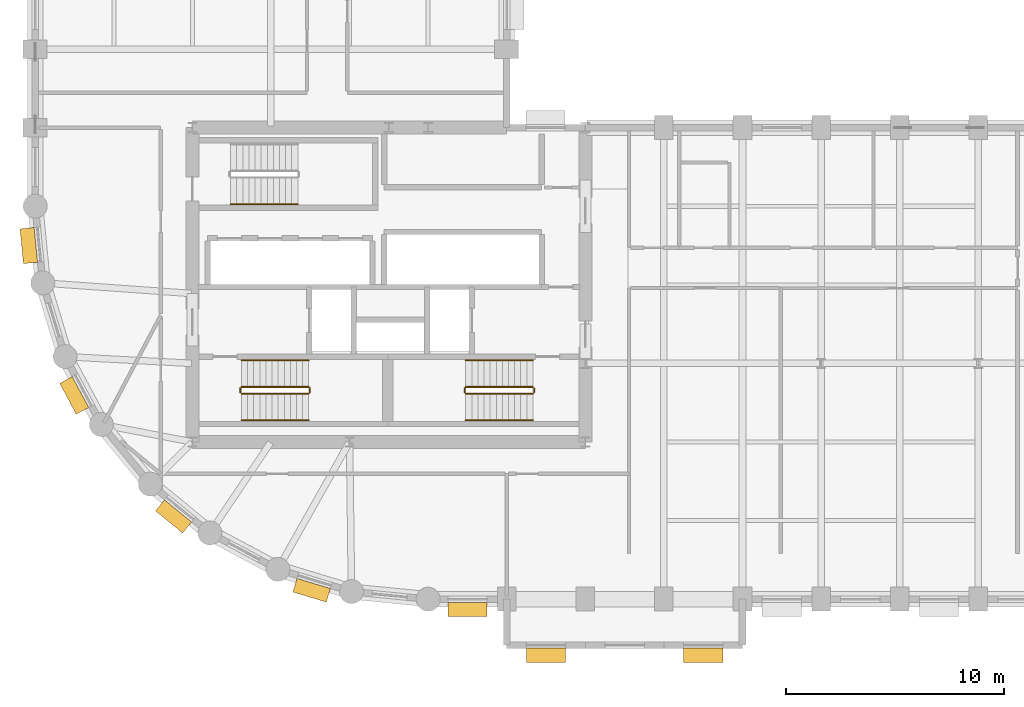
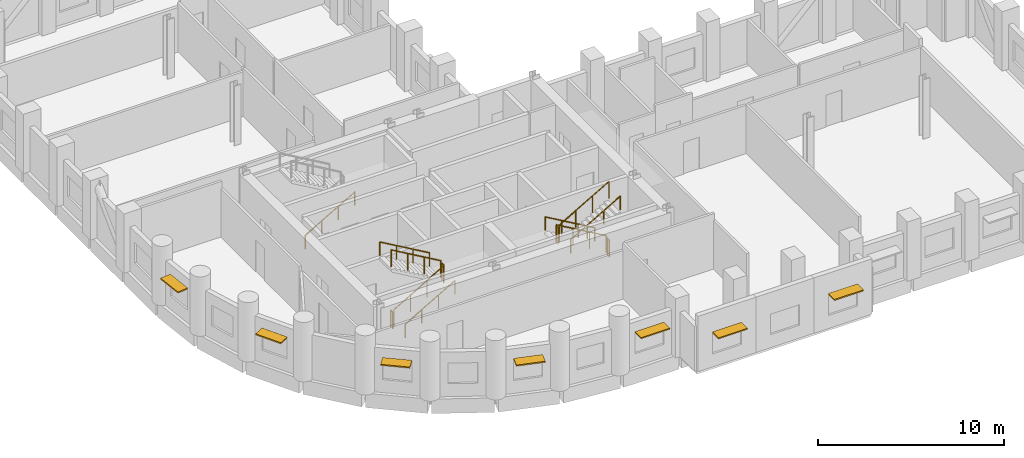
# One storey, part 8 of 10: 13 railings, 7 shading devices.
"""IFC4 building model written with IfcOpenShell, lengths in metres."""

import ifcopenshell
import ifcopenshell.guid

model = None  # the IFC model being written
_history = None  # IfcOwnerHistory: only IFC2X3 demands one
_inside = {}  # id of a spatial element -> (the spatial element, [elements in it])
_under = {}  # id of a project, library or spatial element -> (it, [spatial elements below it])
_declared = {}  # id of a project -> (the project, [libraries it declares])
_typed = {}  # id of a type object -> (the type object, [elements of that type])
_made_of = {}  # id of a material, layer set ... -> (it, [elements and type objects made of it])


def new_model(schema):
    """Start an empty IFC model of exactly this schema.

    Asked for "IFC4X3", IfcOpenShell would pick the latest addendum, in which some entities
    have other attributes; the version numbers below select the first issue.
    IFC2X3 requires an IfcOwnerHistory on every rooted entity: one is made here for all.
    """
    global model, _history
    if schema == "IFC4X3":
        model = ifcopenshell.file(schema_version=(4, 3, 0, 0))
    else:
        model = ifcopenshell.file(schema=schema)
    _inside.clear()
    _under.clear()
    _declared.clear()
    _typed.clear()
    _made_of.clear()
    _history = None
    if model.schema == "IFC2X3":
        org = make("IfcOrganization", Name="unknown")
        user = make(
            "IfcPersonAndOrganization",
            ThePerson=make("IfcPerson", FamilyName="unknown"),
            TheOrganization=org,
        )
        app = make(
            "IfcApplication",
            ApplicationDeveloper=org,
            Version="unknown",
            ApplicationFullName="unknown",
            ApplicationIdentifier="unknown",
        )
        _history = make(
            "IfcOwnerHistory",
            OwningUser=user,
            OwningApplication=app,
            ChangeAction="ADDED",
            CreationDate=0,
        )
    return model


def make(cls, **values):
    """One entity of the class cls with the attributes given. An attribute that is None is left unset."""
    return model.create_entity(
        cls, **{name: value for name, value in values.items() if value is not None}
    )


def rooted(cls, **values):
    """An entity with a GlobalId (a new one), such as an element, a storey or a relation."""
    return make(cls, GlobalId=ifcopenshell.guid.new(), OwnerHistory=_history, **values)


def si_unit(unit_type, name, prefix=None):
    """IfcSIUnit, for example si_unit("LENGTHUNIT", "METRE", prefix="MILLI")."""
    return make("IfcSIUnit", UnitType=unit_type, Prefix=prefix, Name=name)


def assignment(units):
    """IfcUnitAssignment: the units of a project."""
    return None if units is None else make("IfcUnitAssignment", Units=units)


def point(xyz):
    """IfcCartesianPoint."""
    return None if xyz is None else make("IfcCartesianPoint", Coordinates=xyz)


def direction(xyz):
    """IfcDirection."""
    return None if xyz is None else make("IfcDirection", DirectionRatios=xyz)


def frame(location, z_axis=None, x_axis=None):
    """IfcAxis2Placement3D, a coordinate frame: its origin and axes. An axis left out is left unset."""
    return make(
        "IfcAxis2Placement3D",
        Location=point(location),
        Axis=direction(z_axis),
        RefDirection=direction(x_axis),
    )


def frame_2d(location, x_axis=None):
    """IfcAxis2Placement2D, a coordinate frame in the plane: its origin and x axis."""
    return make(
        "IfcAxis2Placement2D", Location=point(location), RefDirection=direction(x_axis)
    )


def origin():
    """The frame at (0, 0, 0) with its axes left unset."""
    return frame((0.0, 0.0, 0.0))


def origin_2d():
    """The frame at (0, 0) in the plane with its x axis left unset."""
    return frame_2d((0.0, 0.0))


def place(relative_to, where):
    """IfcLocalPlacement: puts the frame where relative to a parent placement (None: the world)."""
    return make(
        "IfcLocalPlacement", PlacementRelTo=relative_to, RelativePlacement=where
    )


def context(
    kind, dimensions, precision=None, world=None, true_north=None, identifier=None
):
    """IfcGeometricRepresentationContext, for example the 3D "Model" context."""
    return make(
        "IfcGeometricRepresentationContext",
        ContextIdentifier=identifier,
        ContextType=kind,
        CoordinateSpaceDimension=dimensions,
        Precision=precision,
        WorldCoordinateSystem=world,
        TrueNorth=true_north,
    )


def subcontext(parent, identifier, kind, view, scale=None):
    """IfcGeometricRepresentationSubContext, for example "Body" below "Model"."""
    return make(
        "IfcGeometricRepresentationSubContext",
        ContextIdentifier=identifier,
        ContextType=kind,
        ParentContext=parent,
        TargetScale=scale,
        TargetView=view,
    )


def project(units=None, contexts=None):
    """IfcProject with its units and contexts."""
    return rooted(
        "IfcProject",
        Name="project",
        RepresentationContexts=contexts,
        UnitsInContext=assignment(units),
    )


def spatial(cls, under=None, at=None, **own):
    """A site, building, storey or space (cls), placed at a placement, below another one or the project."""
    s = rooted(cls, ObjectPlacement=at, **own)
    if under is not None:
        _under.setdefault(under.id(), (under, []))[1].append(s)
    return s


def profile(cls, at=None, kind="AREA", **sizes):
    """A parametric profile (cls). Its sizes go by their IFC names, for example OverallWidth=200.0."""
    return make(cls, ProfileType=kind, Position=at, **sizes)


def rectangle(**sizes):
    """IfcRectangleProfileDef."""
    return profile("IfcRectangleProfileDef", **sizes)


def circle(**sizes):
    """IfcCircleProfileDef."""
    return profile("IfcCircleProfileDef", **sizes)


def extrude(swept, where, along, depth):
    """IfcExtrudedAreaSolid: the profile swept, set in the frame where, extruded along a direction by depth."""
    return make(
        "IfcExtrudedAreaSolid",
        SweptArea=swept,
        Position=where,
        ExtrudedDirection=direction(along),
        Depth=depth,
    )


def shape(context_of_items, identifier, shape_type, items):
    """IfcShapeRepresentation: the items that make up one representation, for example the "Body"."""
    return make(
        "IfcShapeRepresentation",
        ContextOfItems=context_of_items,
        RepresentationIdentifier=identifier,
        RepresentationType=shape_type,
        Items=items,
    )


def material(Name=None, Category=None):
    """IfcMaterial."""
    return make("IfcMaterial", Name=Name, Category=Category)


def layer(
    of_material, thickness, ventilated=None, Name=None, Category=None, Priority=None
):
    """IfcMaterialLayer: one layer of a wall or slab, of a material (None: an air gap)."""
    return make(
        "IfcMaterialLayer",
        Material=of_material,
        LayerThickness=thickness,
        IsVentilated=ventilated,
        Name=Name,
        Category=Category,
        Priority=Priority,
    )


def layer_set(layers, Name=None):
    """IfcMaterialLayerSet."""
    return make("IfcMaterialLayerSet", MaterialLayers=layers, LayerSetName=Name)


def made_of(thing, what):
    """Note that an element or type object is made of a material, layer set ...; save() writes the relation."""
    if what is not None:
        _made_of.setdefault(what.id(), (what, []))[1].append(thing)
    return thing


def type_object(cls, material=None, **own):
    """A type object (cls), such as IfcWallType, which elements share."""
    return made_of(rooted(cls, **own), material)


def element(
    cls,
    number,
    at=None,
    inside=None,
    cuts=None,
    type_object=None,
    material=None,
    context=None,
    identifier="Body",
    shape_type=None,
    held_by="IfcProductDefinitionShape",
    body=None,
    shapes=None,
    **own,
):
    """One element of the class cls, such as IfcWall. Its Tag is "e" and its number.

    at: its placement. inside: the storey or other place that contains it. cuts: it is an
    opening in that element (IfcRelVoidsElement). A single representation is given by context,
    identifier, shape_type and body (its items); several are given by shapes. held_by: the class
    of the entity that holds the representations. save() writes the other relations.
    """
    e = rooted(cls, Tag="e%d" % number, ObjectPlacement=at, **own)
    if body is not None:
        shapes = [shape(context, identifier, shape_type, body)]
    if shapes is not None:
        e.Representation = make(held_by, Representations=shapes)
    if inside is not None:
        _inside.setdefault(inside.id(), (inside, []))[1].append(e)
    if cuts is not None:
        rooted(
            "IfcRelVoidsElement", RelatingBuildingElement=cuts, RelatedOpeningElement=e
        )
    if type_object is not None:
        _typed.setdefault(type_object.id(), (type_object, []))[1].append(e)
    return made_of(e, material)


def aggregate(whole, parts):
    """IfcRelAggregates: a whole, such as a stair, and the parts it consists of."""
    return rooted("IfcRelAggregates", RelatingObject=whole, RelatedObjects=parts)


def save(model, path):
    """Write the relations noted so far, then the file.

    IfcRelAggregates (storeys below a building ...), IfcRelContainedInSpatialStructure (elements
    in a storey), IfcRelDefinesByType, IfcRelAssociatesMaterial and IfcRelDeclares: one each for
    every whole, place, type object, material and project.
    """
    for whole, parts in _under.values():
        aggregate(whole, parts)
    for where, things in _inside.values():
        rooted(
            "IfcRelContainedInSpatialStructure",
            RelatedElements=things,
            RelatingStructure=where,
        )
    for kind, things in _typed.values():
        rooted("IfcRelDefinesByType", RelatedObjects=things, RelatingType=kind)
    for what, things in _made_of.values():
        rooted("IfcRelAssociatesMaterial", RelatedObjects=things, RelatingMaterial=what)
    for by, libraries in _declared.values():
        rooted("IfcRelDeclares", RelatingContext=by, RelatedDefinitions=libraries)
    model.write(path)


model = new_model("IFC4")

# Units and contexts
model_context = context("Model", 3, precision=1e-05, world=origin(), true_north=direction((0.0, 1.0)))
body_context = subcontext(model_context, "Body", "Model", "MODEL_VIEW")
ifc_project = project(units=[si_unit("LENGTHUNIT", "METRE"), si_unit("AREAUNIT", "SQUARE_METRE"), si_unit("VOLUMEUNIT", "CUBIC_METRE"), si_unit("PLANEANGLEUNIT", "RADIAN"), si_unit("MASSUNIT", "GRAM", prefix="KILO")], contexts=[model_context])

# Site, building, storey
site_placement = place(None, origin())
site = spatial("IfcSite", under=ifc_project, at=site_placement, CompositionType="ELEMENT")
building_placement = place(site_placement, origin())
building = spatial("IfcBuilding", under=site, at=building_placement, Name="Solnavia Interchange Tower", CompositionType="ELEMENT")
storey_placement = place(building_placement, frame((0.0, 0.0, 95.699951171875)))
storey = spatial("IfcBuildingStorey", under=building, at=storey_placement, Name="L23", CompositionType="ELEMENT", Elevation=95.699951171875)

# Railings
ifc_material_1 = material(Name="Painted Steel Balustrade", Category="steel")
railing_type_1 = type_object("IfcRailingType", Name="Railing-StairGuard-1100", PredefinedType="GUARDRAIL", material=ifc_material_1)
railing_1_placement = place(storey_placement, frame((16.64990234375, 13.02001953125, 0.16259765625)))
element("IfcRailing", 1, at=railing_1_placement, inside=storey, type_object=railing_type_1, Name="L23 ST-1 stair guard 1", PredefinedType="GUARDRAIL", context=body_context, shape_type="SweptSolid", body=[
    extrude(circle(Radius=0.02392578125, at=origin_2d()), frame((0.0, 0.0, 1.09619140625), z_axis=(0.864920483161, 0.0, 0.501908913857), x_axis=(0.0, 1.0, 0.0)), (0.0, 0.0, 1.0), 3.56103515625),
    extrude(circle(Radius=0.02099609375, at=origin_2d()), origin(), (0.0, 0.0, 1.0), 1.072021484375),
    extrude(circle(Radius=0.02099609375, at=origin_2d()), frame((1.026611328125, 0.0, 0.595703125)), (0.0, 0.0, 1.0), 1.072021484375),
    extrude(circle(Radius=0.02099609375, at=origin_2d()), frame((2.053466796875, 0.0, 1.191650390625)), (0.0, 0.0, 1.0), 1.072021484375),
    extrude(circle(Radius=0.02099609375, at=origin_2d()), frame((3.080078125, 0.0, 1.787353515625)), (0.0, 0.0, 1.0), 1.072021484375),
])
railing_2_placement = place(storey_placement, frame((19.780029296875, 13.070068359375, 1.949951171875)))
element("IfcRailing", 2, at=railing_2_placement, inside=storey, type_object=railing_type_1, Name="L23 ST-1 stair guard 2", PredefinedType="GUARDRAIL", context=body_context, shape_type="SweptSolid", body=[
    extrude(circle(Radius=0.02392578125, at=origin_2d()), frame((0.0, 0.0, 1.09619140625), z_axis=(0.0, 1.0, 0.0), x_axis=(-1.0, 0.0, 0.0)), (0.0, 0.0, 1.0), 0.199951171875),
    extrude(circle(Radius=0.02099609375, at=origin_2d()), origin(), (0.0, 0.0, 1.0), 1.072021484375),
    extrude(circle(Radius=0.02099609375, at=origin_2d()), frame((0.0, 0.199951171875, 0.0)), (0.0, 0.0, 1.0), 1.072021484375),
])
railing_3_placement = place(storey_placement, frame((19.72998046875, 13.320068359375, 2.112548828125)))
element("IfcRailing", 3, at=railing_3_placement, inside=storey, type_object=railing_type_1, Name="L23 ST-1 stair guard 3", PredefinedType="GUARDRAIL", context=body_context, shape_type="SweptSolid", body=[
    extrude(circle(Radius=0.02392578125, at=origin_2d()), frame((0.0, 0.0, 1.09619140625), z_axis=(-0.864890721111, 0.0, 0.501960198159), x_axis=(0.0, -1.0, 0.0)), (0.0, 0.0, 1.0), 3.561279296875),
    extrude(circle(Radius=0.02099609375, at=origin_2d()), origin(), (0.0, 0.0, 1.0), 1.072021484375),
    extrude(circle(Radius=0.02099609375, at=origin_2d()), frame((-1.026611328125, 0.0, 0.595947265625)), (0.0, 0.0, 1.0), 1.072021484375),
    extrude(circle(Radius=0.02099609375, at=origin_2d()), frame((-2.053466796875, 0.0, 1.191650390625)), (0.0, 0.0, 1.0), 1.072021484375),
    extrude(circle(Radius=0.02099609375, at=origin_2d()), frame((-3.080078125, 0.0, 1.78759765625)), (0.0, 0.0, 1.0), 1.072021484375),
])
railing_4_placement = place(storey_placement, frame((16.60009765625, 13.070068359375, 0.0)))
element("IfcRailing", 4, at=railing_4_placement, inside=storey, type_object=railing_type_1, Name="L23 ST-1 stair guard 4", PredefinedType="GUARDRAIL", context=body_context, shape_type="SweptSolid", body=[
    extrude(circle(Radius=0.02392578125, at=origin_2d()), frame((0.0, 0.0, 1.09619140625), z_axis=(0.0, 1.0, 0.0), x_axis=(-1.0, 0.0, 0.0)), (0.0, 0.0, 1.0), 0.199951171875),
    extrude(circle(Radius=0.02099609375, at=origin_2d()), origin(), (0.0, 0.0, 1.0), 1.072021484375),
    extrude(circle(Radius=0.02099609375, at=origin_2d()), frame((0.0, 0.199951171875, 0.0)), (0.0, 0.0, 1.0), 1.072021484375),
])
railing_5_placement = place(storey_placement, frame((30.0, 13.320068359375, 0.16259765625)))
element("IfcRailing", 5, at=railing_5_placement, inside=storey, type_object=railing_type_1, Name="L23 ST-2 stair guard 1", PredefinedType="GUARDRAIL", context=body_context, shape_type="SweptSolid", body=[
    extrude(circle(Radius=0.02392578125, at=origin_2d()), frame((0.0, 0.0, 1.09619140625), z_axis=(-0.864920483161, 0.0, 0.501908913857), x_axis=(0.0, -1.0, 0.0)), (0.0, 0.0, 1.0), 3.56103515625),
    extrude(circle(Radius=0.02099609375, at=origin_2d()), origin(), (0.0, 0.0, 1.0), 1.072021484375),
    extrude(circle(Radius=0.02099609375, at=origin_2d()), frame((-1.026611328125, 0.0, 0.595703125)), (0.0, 0.0, 1.0), 1.072021484375),
    extrude(circle(Radius=0.02099609375, at=origin_2d()), frame((-2.053466796875, 0.0, 1.191650390625)), (0.0, 0.0, 1.0), 1.072021484375),
    extrude(circle(Radius=0.02099609375, at=origin_2d()), frame((-3.080078125, 0.0, 1.787353515625)), (0.0, 0.0, 1.0), 1.072021484375),
])
railing_6_placement = place(storey_placement, frame((26.8701171875, 13.27001953125, 1.949951171875)))
element("IfcRailing", 6, at=railing_6_placement, inside=storey, type_object=railing_type_1, Name="L23 ST-2 stair guard 2", PredefinedType="GUARDRAIL", context=body_context, shape_type="SweptSolid", body=[
    extrude(circle(Radius=0.02392578125, at=origin_2d()), frame((0.0, 0.0, 1.09619140625), z_axis=(0.0, -1.0, 0.0), x_axis=(1.0, 0.0, 0.0)), (0.0, 0.0, 1.0), 0.199951171875),
    extrude(circle(Radius=0.02099609375, at=origin_2d()), origin(), (0.0, 0.0, 1.0), 1.072021484375),
    extrude(circle(Radius=0.02099609375, at=origin_2d()), frame((0.0, -0.199951171875, 0.0)), (0.0, 0.0, 1.0), 1.072021484375),
])
railing_7_placement = place(storey_placement, frame((26.919921875, 13.02001953125, 2.112548828125)))
element("IfcRailing", 7, at=railing_7_placement, inside=storey, type_object=railing_type_1, Name="L23 ST-2 stair guard 3", PredefinedType="GUARDRAIL", context=body_context, shape_type="SweptSolid", body=[
    extrude(circle(Radius=0.02392578125, at=origin_2d()), frame((0.0, 0.0, 1.09619140625), z_axis=(0.864890721111, 0.0, 0.501960198159), x_axis=(0.0, 1.0, 0.0)), (0.0, 0.0, 1.0), 3.561279296875),
    extrude(circle(Radius=0.02099609375, at=origin_2d()), origin(), (0.0, 0.0, 1.0), 1.072021484375),
    extrude(circle(Radius=0.02099609375, at=origin_2d()), frame((1.026611328125, 0.0, 0.595947265625)), (0.0, 0.0, 1.0), 1.072021484375),
    extrude(circle(Radius=0.02099609375, at=origin_2d()), frame((2.053466796875, 0.0, 1.191650390625)), (0.0, 0.0, 1.0), 1.072021484375),
    extrude(circle(Radius=0.02099609375, at=origin_2d()), frame((3.080078125, 0.0, 1.78759765625)), (0.0, 0.0, 1.0), 1.072021484375),
])
railing_8_placement = place(storey_placement, frame((30.050048828125, 13.27001953125, 0.0)))
element("IfcRailing", 8, at=railing_8_placement, inside=storey, type_object=railing_type_1, Name="L23 ST-2 stair guard 4", PredefinedType="GUARDRAIL", context=body_context, shape_type="SweptSolid", body=[
    extrude(circle(Radius=0.02392578125, at=origin_2d()), frame((0.0, 0.0, 1.09619140625), z_axis=(0.0, -1.0, 0.0), x_axis=(1.0, 0.0, 0.0)), (0.0, 0.0, 1.0), 0.199951171875),
    extrude(circle(Radius=0.02099609375, at=origin_2d()), origin(), (0.0, 0.0, 1.0), 1.072021484375),
    extrude(circle(Radius=0.02099609375, at=origin_2d()), frame((0.0, -0.199951171875, 0.0)), (0.0, 0.0, 1.0), 1.072021484375),
])
ifc_material_2 = material(Name="Brushed Stainless Steel", Category="steel")
railing_type_2 = type_object("IfcRailingType", Name="Railing-StairHandrail-900", PredefinedType="HANDRAIL", material=ifc_material_2)
railing_9_placement = place(storey_placement, frame((16.64990234375, 11.800048828125, 0.16259765625)))
element("IfcRailing", 9, at=railing_9_placement, inside=storey, type_object=railing_type_2, Name="L23 ST-1 stair handrail 1", PredefinedType="HANDRAIL", context=body_context, shape_type="SweptSolid", body=[
    extrude(circle(Radius=0.02392578125, at=origin_2d()), frame((0.0, 0.0, 0.8759765625), z_axis=(0.864920483161, 0.0, 0.501908913857), x_axis=(0.0, 1.0, 0.0)), (0.0, 0.0, 1.0), 3.56103515625),
    extrude(circle(Radius=0.02099609375, at=origin_2d()), origin(), (0.0, 0.0, 1.0), 0.851806640625),
    extrude(circle(Radius=0.02099609375, at=origin_2d()), frame((1.026611328125, 0.0, 0.595703125)), (0.0, 0.0, 1.0), 0.851806640625),
    extrude(circle(Radius=0.02099609375, at=origin_2d()), frame((2.053466796875, 0.0, 1.191650390625)), (0.0, 0.0, 1.0), 0.851806640625),
    extrude(circle(Radius=0.02099609375, at=origin_2d()), frame((3.080078125, 0.0, 1.787353515625)), (0.0, 0.0, 1.0), 0.851806640625),
])
railing_10_placement = place(storey_placement, frame((19.72998046875, 14.5400390625, 2.112548828125)))
element("IfcRailing", 10, at=railing_10_placement, inside=storey, type_object=railing_type_2, Name="L23 ST-1 stair handrail 2", PredefinedType="HANDRAIL", context=body_context, shape_type="SweptSolid", body=[
    extrude(circle(Radius=0.02392578125, at=origin_2d()), frame((0.0, 0.0, 0.8759765625), z_axis=(-0.864890721111, 0.0, 0.501960198159), x_axis=(0.0, -1.0, 0.0)), (0.0, 0.0, 1.0), 3.561279296875),
    extrude(circle(Radius=0.02099609375, at=origin_2d()), origin(), (0.0, 0.0, 1.0), 0.851806640625),
    extrude(circle(Radius=0.02099609375, at=origin_2d()), frame((-1.026611328125, 0.0, 0.595947265625)), (0.0, 0.0, 1.0), 0.851806640625),
    extrude(circle(Radius=0.02099609375, at=origin_2d()), frame((-2.053466796875, 0.0, 1.191650390625)), (0.0, 0.0, 1.0), 0.851806640625),
    extrude(circle(Radius=0.02099609375, at=origin_2d()), frame((-3.080078125, 0.0, 1.78759765625)), (0.0, 0.0, 1.0), 0.851806640625),
])
railing_11_placement = place(storey_placement, frame((30.0, 14.5400390625, 0.16259765625)))
element("IfcRailing", 11, at=railing_11_placement, inside=storey, type_object=railing_type_2, Name="L23 ST-2 stair handrail 1", PredefinedType="HANDRAIL", context=body_context, shape_type="SweptSolid", body=[
    extrude(circle(Radius=0.02392578125, at=origin_2d()), frame((0.0, 0.0, 0.8759765625), z_axis=(-0.864920483161, 0.0, 0.501908913857), x_axis=(0.0, -1.0, 0.0)), (0.0, 0.0, 1.0), 3.56103515625),
    extrude(circle(Radius=0.02099609375, at=origin_2d()), origin(), (0.0, 0.0, 1.0), 0.851806640625),
    extrude(circle(Radius=0.02099609375, at=origin_2d()), frame((-1.026611328125, 0.0, 0.595703125)), (0.0, 0.0, 1.0), 0.851806640625),
    extrude(circle(Radius=0.02099609375, at=origin_2d()), frame((-2.053466796875, 0.0, 1.191650390625)), (0.0, 0.0, 1.0), 0.851806640625),
    extrude(circle(Radius=0.02099609375, at=origin_2d()), frame((-3.080078125, 0.0, 1.787353515625)), (0.0, 0.0, 1.0), 0.851806640625),
])
railing_12_placement = place(storey_placement, frame((26.919921875, 11.800048828125, 2.112548828125)))
element("IfcRailing", 12, at=railing_12_placement, inside=storey, type_object=railing_type_2, Name="L23 ST-2 stair handrail 2", PredefinedType="HANDRAIL", context=body_context, shape_type="SweptSolid", body=[
    extrude(circle(Radius=0.02392578125, at=origin_2d()), frame((0.0, 0.0, 0.8759765625), z_axis=(0.864890721111, 0.0, 0.501960198159), x_axis=(0.0, 1.0, 0.0)), (0.0, 0.0, 1.0), 3.561279296875),
    extrude(circle(Radius=0.02099609375, at=origin_2d()), origin(), (0.0, 0.0, 1.0), 0.851806640625),
    extrude(circle(Radius=0.02099609375, at=origin_2d()), frame((1.026611328125, 0.0, 0.595947265625)), (0.0, 0.0, 1.0), 0.851806640625),
    extrude(circle(Radius=0.02099609375, at=origin_2d()), frame((2.053466796875, 0.0, 1.191650390625)), (0.0, 0.0, 1.0), 0.851806640625),
    extrude(circle(Radius=0.02099609375, at=origin_2d()), frame((3.080078125, 0.0, 1.78759765625)), (0.0, 0.0, 1.0), 0.851806640625),
])
railing_13_placement = place(storey_placement, frame((16.14990234375, 21.699951171875, 0.16259765625)))
element("IfcRailing", 13, at=railing_13_placement, inside=storey, type_object=railing_type_2, Name="L23 ST-3 stair handrail 1", PredefinedType="HANDRAIL", context=body_context, shape_type="SweptSolid", body=[
    extrude(circle(Radius=0.02392578125, at=origin_2d()), frame((0.0, 0.0, 0.8759765625), z_axis=(0.864920483161, 0.0, 0.501908913857), x_axis=(0.0, 1.0, 0.0)), (0.0, 0.0, 1.0), 3.56103515625),
    extrude(circle(Radius=0.02099609375, at=origin_2d()), origin(), (0.0, 0.0, 1.0), 0.851806640625),
    extrude(circle(Radius=0.02099609375, at=origin_2d()), frame((1.026611328125, 0.0, 0.595703125)), (0.0, 0.0, 1.0), 0.851806640625),
    extrude(circle(Radius=0.02099609375, at=origin_2d()), frame((2.053466796875, 0.0, 1.191650390625)), (0.0, 0.0, 1.0), 0.851806640625),
    extrude(circle(Radius=0.02099609375, at=origin_2d()), frame((3.080078125, 0.0, 1.787353515625)), (0.0, 0.0, 1.0), 0.851806640625),
])

# Shading devices
ifc_material_3 = material(Name="Anodised Aluminium Sunshade", Category="aluminium")
ifc_layer = layer(ifc_material_3, 0.080078125)
ifc_layer_set = layer_set([ifc_layer], Name="Anodised Aluminium Sunshade")
shading_device_type = type_object("IfcShadingDeviceType", Name="Sunshade-Band-650", PredefinedType="SHUTTER", material=ifc_layer_set)
for number, where, z_axis, x_axis, name in (
    (14, (27.0, 3.1298828125, 2.219970703125), (0.0, 0.0, 1.0), (-1.0, 0.0, 0.0), "SHD-L23-01 Horizontal sunshade band"),
    (15, (30.60009765625, 1.030029296875, 2.219970703125), (0.0, 0.0, 1.0), (-1.0, 0.0, 0.0), "SHD-L23-03 Horizontal sunshade band"),
    (16, (37.800048828125, 1.030029296875, 2.219970703125), (0.0, 0.0, 1.0), (-1.0, 0.0, 0.0), "SHD-L23-05 Horizontal sunshade band"),
):
    element("IfcShadingDevice", number, at=place(storey_placement, frame(where, z_axis=z_axis, x_axis=x_axis)), inside=storey, type_object=shading_device_type, Name=name, PredefinedType="SHUTTER", context=body_context, shape_type="SweptSolid", body=[
        extrude(rectangle(XDim=1.800048828125, YDim=0.64990234375, at=origin_2d()), origin(), (0.0, 0.0, 1.0), 0.080078125),
    ])
for number, where, z_axis, x_axis, name in (
    (17, (6.9052734375, 19.79833984375, 2.219970703125), (0.0, 0.0, 1.0), (-0.098103986207, 0.995176169274, 0.0), "SHD-L23-53 Horizontal sunshade band"),
    (18, (8.98779296875, 12.93408203125, 2.219970703125), (0.0, 0.0, 1.0), (-0.47147369718, 0.881880123865, 0.0), "SHD-L23-55 Horizontal sunshade band"),
    (19, (13.5380859375, 7.389404296875, 2.219970703125), (0.0, 0.0, 1.0), (-0.773176510644, 0.634190888762, 0.0), "SHD-L23-57 Horizontal sunshade band"),
    (20, (19.863525390625, 4.00830078125, 2.219970703125), (0.0, 0.0, 1.0), (-0.956965664205, 0.290201167351, 0.0), "SHD-L23-59 Horizontal sunshade band"),
):
    element("IfcShadingDevice", number, at=place(storey_placement, frame(where, z_axis=z_axis, x_axis=x_axis)), inside=storey, type_object=shading_device_type, Name=name, PredefinedType="SHUTTER", context=body_context, shape_type="SweptSolid", body=[
        extrude(rectangle(XDim=1.60009765625, YDim=0.64990234375, at=origin_2d()), origin(), (0.0, 0.0, 1.0), 0.080078125),
    ])

save(model, "model.ifc")
